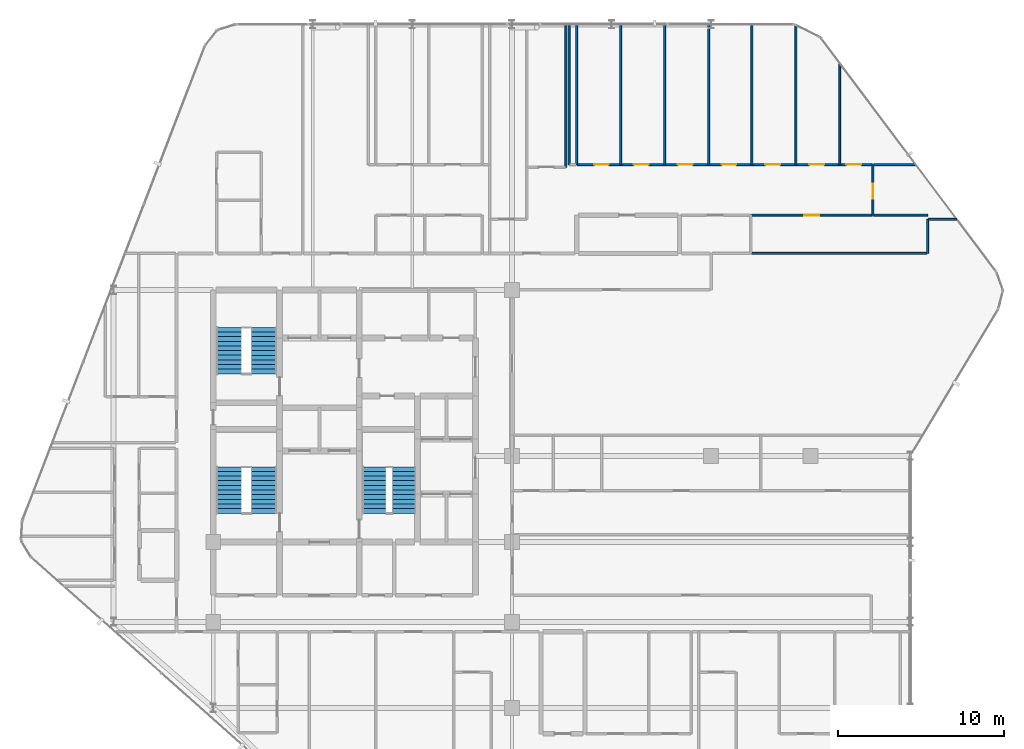
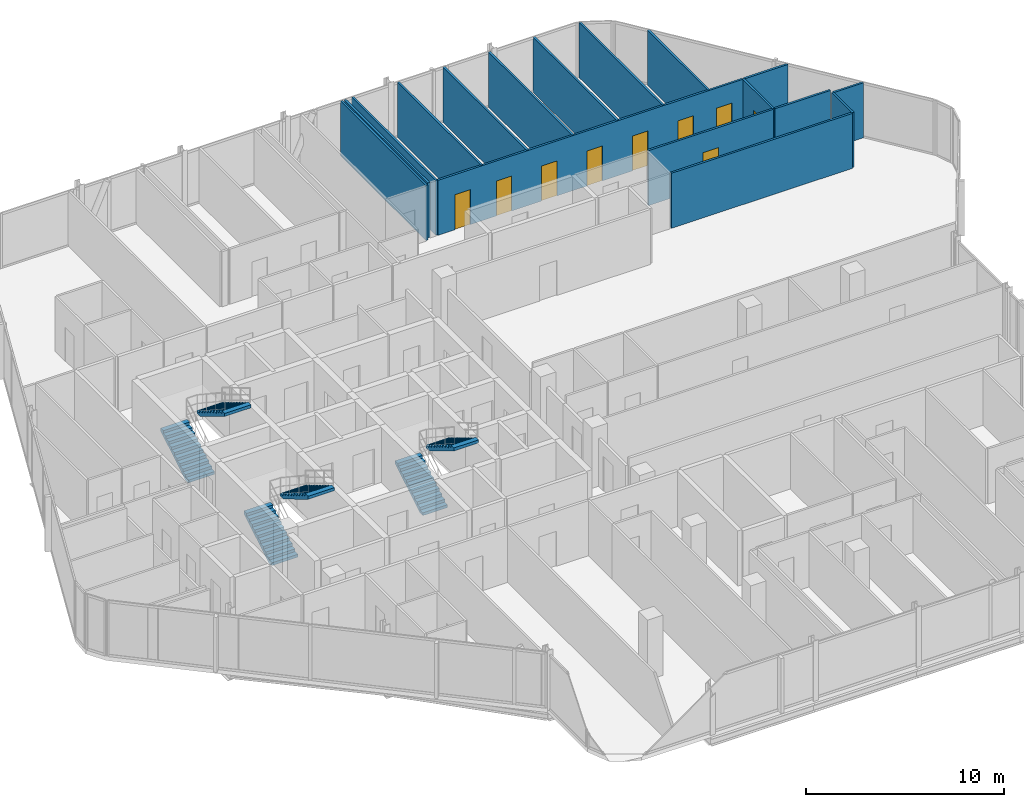
# One storey, part 30 of 31: 17 walls, 9 doors, 6 stair flights, 9 openings, 3 elements without a shape of their own.
"""IFC4 building model written with IfcOpenShell, lengths in metres."""

from ifc_helpers import new_model, si_unit, direction, frame, frame_2d, origin, place, context, subcontext, project, spatial, polyline, rectangle, outline, extrude, material, layer, layer_set, type_object, element, fill, aggregate, save


model = new_model("IFC4")

# Units and contexts
model_context = context("Model", 3, precision=1e-05, world=origin(), true_north=direction((0.0, 1.0)))
body_context = subcontext(model_context, "Body", "Model", "MODEL_VIEW")
ifc_project = project(units=[si_unit("LENGTHUNIT", "METRE"), si_unit("AREAUNIT", "SQUARE_METRE"), si_unit("VOLUMEUNIT", "CUBIC_METRE"), si_unit("PLANEANGLEUNIT", "RADIAN"), si_unit("MASSUNIT", "GRAM", prefix="KILO")], contexts=[model_context])

# Site, building, storey
site_placement = place(None, origin())
site = spatial("IfcSite", under=ifc_project, at=site_placement, CompositionType="ELEMENT")
building_placement = place(site_placement, origin())
building = spatial("IfcBuilding", under=site, at=building_placement, Name="Keshet Zoharim Tower", CompositionType="ELEMENT")
storey_placement = place(building_placement, frame((0.0, 0.0, 140.89990234375)))
storey = spatial("IfcBuildingStorey", under=building, at=storey_placement, Name="L34", CompositionType="ELEMENT", Elevation=140.89990234375)

# Walls
ifc_material_1 = material(Name="Gypsum Plasterboard", Category="gypsum")
ifc_layer = layer(ifc_material_1, 0.1201171875)
ifc_layer_set = layer_set([ifc_layer], Name="Gypsum Plasterboard")
wall_type = type_object("IfcWallType", Name="WL-PART-120", PredefinedType="PARTITIONING", material=ifc_layer_set)
wall_1_placement = place(storey_placement, frame((36.25, 45.300048828125, 0.0), z_axis=(0.0, 0.0, 1.0), x_axis=(0.0, 1.0, 0.0)))
element("IfcWall", 1, at=wall_1_placement, inside=storey, type_object=wall_type, Name="L34 Interior Wall 079", PredefinedType="PARTITIONING", context=body_context, shape_type="SweptSolid", body=[
    extrude(rectangle(XDim=8.58984375, YDim=0.1201171875, at=frame_2d((4.294921875, 0.0))), origin(), (0.0, 0.0, 1.0), 3.385009765625),
])
for number, where, z_axis, x_axis, name in (
    (2, (36.449951171875, 45.449951171875, 0.0), (0.0, 0.0, 1.0), (0.0, 1.0, 0.0), "L34 Interior Wall 080"),
    (3, (36.89990234375, 45.449951171875, 0.0), (0.0, 0.0, 1.0), (0.0, 1.0, 0.0), "L34 Interior Wall 082"),
    (4, (39.550048828125, 45.449951171875, 0.0), (0.0, 0.0, 1.0), (0.0, 1.0, 0.0), "L34 Interior Wall 086"),
    (5, (42.199951171875, 45.449951171875, 0.0), (0.0, 0.0, 1.0), (0.0, 1.0, 0.0), "L34 Interior Wall 089"),
    (6, (44.85009765625, 45.449951171875, 0.0), (0.0, 0.0, 1.0), (0.0, 1.0, 0.0), "L34 Interior Wall 096"),
    (7, (47.449951171875, 45.449951171875, 0.0), (0.0, 0.0, 1.0), (0.0, 1.0, 0.0), "L34 Interior Wall 100"),
):
    element("IfcWall", number, at=place(storey_placement, frame(where, z_axis=z_axis, x_axis=x_axis)), inside=storey, type_object=wall_type, Name=name, PredefinedType="PARTITIONING", context=body_context, shape_type="SweptSolid", body=[
        extrude(rectangle(XDim=8.43994140625, YDim=0.1201171875, at=frame_2d((4.219970703125, 0.0))), origin(), (0.0, 0.0, 1.0), 3.385009765625),
    ])
wall_2_placement = place(storey_placement, frame((50.10009765625, 45.449951171875, 0.0), z_axis=(0.0, 0.0, 1.0), x_axis=(0.0, 1.0, 0.0)))
element("IfcWall", 8, at=wall_2_placement, inside=storey, type_object=wall_type, Name="L34 Interior Wall 105", PredefinedType="PARTITIONING", context=body_context, shape_type="SweptSolid", body=[
    extrude(rectangle(XDim=8.39013671875, YDim=0.1201171875, at=frame_2d((4.195068359375, 0.0))), origin(), (0.0, 0.0, 1.0), 3.385009765625),
])
wall_3_placement = place(storey_placement, frame((52.75, 45.449951171875, 0.0), z_axis=(0.0, 0.0, 1.0), x_axis=(0.0, 1.0, 0.0)))
element("IfcWall", 9, at=wall_3_placement, inside=storey, type_object=wall_type, Name="L34 Interior Wall 108", PredefinedType="PARTITIONING", context=body_context, shape_type="SweptSolid", body=[
    extrude(rectangle(XDim=6.10693359375, YDim=0.1201171875, at=frame_2d((3.053466796875, 0.0))), origin(), (0.0, 0.0, 1.0), 3.385009765625),
])

# Wall, opening, door
wall_4_placement = place(storey_placement, frame((54.75, 42.39990234375, 0.0), z_axis=(0.0, 0.0, 1.0), x_axis=(0.0, 1.0, 0.0)))
wall_4 = element("IfcWall", 10, at=wall_4_placement, inside=storey, type_object=wall_type, Name="L34 Interior Wall 111", PredefinedType="PARTITIONING", context=body_context, shape_type="SweptSolid", body=[
    extrude(rectangle(XDim=3.050048828125, YDim=0.1201171875, at=frame_2d((1.52490234375, 0.0))), origin(), (0.0, 0.0, 1.0), 3.385009765625),
])
opening_1_placement = place(wall_4_placement, frame((1.0029296875, 0.0, 0.0)))
opening_1 = element("IfcOpeningElement", 11, at=opening_1_placement, cuts=wall_4, Name="Opening D-IN90", PredefinedType="OPENING", context=body_context, shape_type="SweptSolid", body=[
    extrude(rectangle(XDim=0.89990234375, YDim=2.14990234375, at=frame_2d((0.449951171875, 1.074951171875))), frame((0.0, 0.070068359375, 0.0), z_axis=(0.0, -1.0, 0.0), x_axis=(1.0, 0.0, 0.0)), (0.0, 0.0, 1.0), 0.14013671875),
])
ifc_material_2 = material(Name="Hardwood Timber", Category="wood")
door_type = type_object("IfcDoorType", Name="DR-INT-090", OperationType="NOTDEFINED", PredefinedType="DOOR", material=ifc_material_2)
door_1_placement = place(opening_1_placement, origin())
door_1 = element("IfcDoor", 12, at=door_1_placement, inside=storey, type_object=door_type, Name="Apartment 3406 Private Reading Room Door", OperationType="SINGLE_SWING_LEFT", OverallHeight=2.14990234375, OverallWidth=0.89990234375, PredefinedType="DOOR", context=body_context, shape_type="SweptSolid", body=[
    extrude(rectangle(XDim=0.89990234375, YDim=2.14990234375, at=frame_2d((0.449951171875, 1.074951171875))), frame((0.0, 0.02490234375, 0.0), z_axis=(0.0, -1.0, 0.0), x_axis=(1.0, 0.0, 0.0)), (0.0, 0.0, 1.0), 0.050048828125),
])
fill(opening_1, door_1)

# Walls
wall_5_placement = place(storey_placement, frame((58.050048828125, 40.10009765625, 0.0), z_axis=(0.0, 0.0, 1.0), x_axis=(0.0, 1.0, 0.0)))
element("IfcWall", 13, at=wall_5_placement, inside=storey, type_object=wall_type, Name="L34 Interior Wall 113", PredefinedType="PARTITIONING", context=body_context, shape_type="SweptSolid", body=[
    extrude(rectangle(XDim=2.0498046875, YDim=0.1201171875, at=frame_2d((1.02490234375, 0.0))), origin(), (0.0, 0.0, 1.0), 3.385009765625),
])
wall_6_placement = place(storey_placement, frame((47.445068359375, 40.10009765625, 0.0), z_axis=(0.0, 0.0, 1.0), x_axis=(1.0, 0.0, 0.0)))
element("IfcWall", 14, at=wall_6_placement, inside=storey, type_object=wall_type, Name="L34 Interior Wall 202", PredefinedType="PARTITIONING", context=body_context, shape_type="SweptSolid", body=[
    extrude(rectangle(XDim=10.546875, YDim=0.1201171875, at=frame_2d((5.2734375, 0.0))), origin(), (0.0, 0.0, 1.0), 3.385009765625),
])
wall_7_placement = place(storey_placement, frame((58.0830078125, 42.14990234375, 0.0), z_axis=(0.0, 0.0, 1.0), x_axis=(1.0, 0.0, 0.0)))
element("IfcWall", 15, at=wall_7_placement, inside=storey, type_object=wall_type, Name="L34 Interior Wall 204", PredefinedType="PARTITIONING", context=body_context, shape_type="SweptSolid", body=[
    extrude(rectangle(XDim=1.719970703125, YDim=0.1201171875, at=frame_2d((0.85986328125, 0.0))), origin(), (0.0, 0.0, 1.0), 3.385009765625),
])

# Wall, opening, door
wall_8_placement = place(storey_placement, frame((47.445068359375, 42.39990234375, 0.0), z_axis=(0.0, 0.0, 1.0), x_axis=(1.0, 0.0, 0.0)))
wall_8 = element("IfcWall", 16, at=wall_8_placement, inside=storey, type_object=wall_type, Name="L34 Interior Wall 209", PredefinedType="PARTITIONING", context=body_context, shape_type="SweptSolid", body=[
    extrude(rectangle(XDim=7.260009765625, YDim=0.1201171875, at=frame_2d((3.6298828125, 0.0))), origin(), (0.0, 0.0, 1.0), 3.385009765625),
])
opening_2_placement = place(wall_8_placement, frame((3.179931640625, 0.0, 0.0)))
opening_2 = element("IfcOpeningElement", 17, at=opening_2_placement, cuts=wall_8, Name="Opening D-IN90", PredefinedType="OPENING", context=body_context, shape_type="SweptSolid", body=[
    extrude(rectangle(XDim=0.89990234375, YDim=2.14990234375, at=frame_2d((0.449951171875, 1.074951171875))), frame((0.0, 0.070068359375, 0.0), z_axis=(0.0, -1.0, 0.0), x_axis=(1.0, 0.0, 0.0)), (0.0, 0.0, 1.0), 0.14013671875),
])
door_2_placement = place(opening_2_placement, origin())
door_2 = element("IfcDoor", 18, at=door_2_placement, inside=storey, type_object=door_type, Name="Apartment 3406 Kitchen Door", OperationType="SINGLE_SWING_RIGHT", OverallHeight=2.14990234375, OverallWidth=0.89990234375, PredefinedType="DOOR", context=body_context, shape_type="SweptSolid", body=[
    extrude(rectangle(XDim=0.89990234375, YDim=2.14990234375, at=frame_2d((0.449951171875, 1.074951171875))), frame((0.0, 0.02490234375, 0.0), z_axis=(0.0, -1.0, 0.0), x_axis=(1.0, 0.0, 0.0)), (0.0, 0.0, 1.0), 0.050048828125),
])
fill(opening_2, door_2)

# Wall
wall_9_placement = place(storey_placement, frame((54.794921875, 42.39990234375, 0.0), z_axis=(0.0, 0.0, 1.0), x_axis=(1.0, 0.0, 0.0)))
element("IfcWall", 19, at=wall_9_placement, inside=storey, type_object=wall_type, Name="L34 Interior Wall 210", PredefinedType="PARTITIONING", context=body_context, shape_type="SweptSolid", body=[
    extrude(rectangle(XDim=3.2431640625, YDim=0.1201171875, at=frame_2d((1.62158203125, 0.0))), origin(), (0.0, 0.0, 1.0), 3.385009765625),
])

# Wall, openings, doors
wall_10_placement = place(storey_placement, frame((36.945068359375, 45.449951171875, 0.0), z_axis=(0.0, 0.0, 1.0), x_axis=(1.0, 0.0, 0.0)))
wall_10 = element("IfcWall", 20, at=wall_10_placement, inside=storey, type_object=wall_type, Name="L34 Interior Wall 217", PredefinedType="PARTITIONING", context=body_context, shape_type="SweptSolid", body=[
    extrude(rectangle(XDim=17.760009765625, YDim=0.1201171875, at=frame_2d((8.8798828125, 0.0))), origin(), (0.0, 0.0, 1.0), 3.385009765625),
])
opening_3_placement = place(wall_10_placement, frame((1.0009765625, 0.0, 0.0)))
opening_3 = element("IfcOpeningElement", 21, at=opening_3_placement, cuts=wall_10, Name="Opening D-IN90", PredefinedType="OPENING", context=body_context, shape_type="SweptSolid", body=[
    extrude(rectangle(XDim=0.89990234375, YDim=2.14990234375, at=frame_2d((0.449951171875, 1.074951171875))), frame((0.0, 0.070068359375, 0.0), z_axis=(0.0, -1.0, 0.0), x_axis=(1.0, 0.0, 0.0)), (0.0, 0.0, 1.0), 0.14013671875),
])
opening_4_placement = place(wall_10_placement, frame((3.39794921875, 0.0, 0.0)))
opening_4 = element("IfcOpeningElement", 22, at=opening_4_placement, cuts=wall_10, Name="Opening D-IN90", PredefinedType="OPENING", context=body_context, shape_type="SweptSolid", body=[
    extrude(rectangle(XDim=0.89990234375, YDim=2.14990234375, at=frame_2d((0.449951171875, 1.074951171875))), frame((0.0, 0.070068359375, 0.0), z_axis=(0.0, -1.0, 0.0), x_axis=(1.0, 0.0, 0.0)), (0.0, 0.0, 1.0), 0.14013671875),
])
opening_5_placement = place(wall_10_placement, frame((6.0400390625, 0.0, 0.0)))
opening_5 = element("IfcOpeningElement", 23, at=opening_5_placement, cuts=wall_10, Name="Opening D-IN90", PredefinedType="OPENING", context=body_context, shape_type="SweptSolid", body=[
    extrude(rectangle(XDim=0.89990234375, YDim=2.14990234375, at=frame_2d((0.449951171875, 1.074951171875))), frame((0.0, 0.070068359375, 0.0), z_axis=(0.0, -1.0, 0.0), x_axis=(1.0, 0.0, 0.0)), (0.0, 0.0, 1.0), 0.14013671875),
])
opening_6_placement = place(wall_10_placement, frame((8.68310546875, 0.0, 0.0)))
opening_6 = element("IfcOpeningElement", 24, at=opening_6_placement, cuts=wall_10, Name="Opening D-IN90", PredefinedType="OPENING", context=body_context, shape_type="SweptSolid", body=[
    extrude(rectangle(XDim=0.89990234375, YDim=2.14990234375, at=frame_2d((0.449951171875, 1.074951171875))), frame((0.0, 0.070068359375, 0.0), z_axis=(0.0, -1.0, 0.0), x_axis=(1.0, 0.0, 0.0)), (0.0, 0.0, 1.0), 0.14013671875),
])
opening_7_placement = place(wall_10_placement, frame((11.324951171875, 0.0, 0.0)))
opening_7 = element("IfcOpeningElement", 25, at=opening_7_placement, cuts=wall_10, Name="Opening D-IN90", PredefinedType="OPENING", context=body_context, shape_type="SweptSolid", body=[
    extrude(rectangle(XDim=0.89990234375, YDim=2.14990234375, at=frame_2d((0.449951171875, 1.074951171875))), frame((0.0, 0.070068359375, 0.0), z_axis=(0.0, -1.0, 0.0), x_axis=(1.0, 0.0, 0.0)), (0.0, 0.0, 1.0), 0.14013671875),
])
opening_8_placement = place(wall_10_placement, frame((13.967041015625, 0.0, 0.0)))
opening_8 = element("IfcOpeningElement", 26, at=opening_8_placement, cuts=wall_10, Name="Opening D-IN90", PredefinedType="OPENING", context=body_context, shape_type="SweptSolid", body=[
    extrude(rectangle(XDim=0.89990234375, YDim=2.14990234375, at=frame_2d((0.449951171875, 1.074951171875))), frame((0.0, 0.070068359375, 0.0), z_axis=(0.0, -1.0, 0.0), x_axis=(1.0, 0.0, 0.0)), (0.0, 0.0, 1.0), 0.14013671875),
])
opening_9_placement = place(wall_10_placement, frame((16.2080078125, 0.0, 0.0)))
opening_9 = element("IfcOpeningElement", 27, at=opening_9_placement, cuts=wall_10, Name="Opening D-IN90", PredefinedType="OPENING", context=body_context, shape_type="SweptSolid", body=[
    extrude(rectangle(XDim=0.89990234375, YDim=2.14990234375, at=frame_2d((0.449951171875, 1.074951171875))), frame((0.0, 0.070068359375, 0.0), z_axis=(0.0, -1.0, 0.0), x_axis=(1.0, 0.0, 0.0)), (0.0, 0.0, 1.0), 0.14013671875),
])
door_3_placement = place(opening_3_placement, origin())
door_3 = element("IfcDoor", 28, at=door_3_placement, inside=storey, type_object=door_type, Name="Apartment 3406 Bedroom 1 Door", OperationType="SINGLE_SWING_RIGHT", OverallHeight=2.14990234375, OverallWidth=0.89990234375, PredefinedType="DOOR", context=body_context, shape_type="SweptSolid", body=[
    extrude(rectangle(XDim=0.89990234375, YDim=2.14990234375, at=frame_2d((0.449951171875, 1.074951171875))), frame((0.0, 0.02490234375, 0.0), z_axis=(0.0, -1.0, 0.0), x_axis=(1.0, 0.0, 0.0)), (0.0, 0.0, 1.0), 0.050048828125),
])
fill(opening_3, door_3)
door_4_placement = place(opening_4_placement, origin())
door_4 = element("IfcDoor", 29, at=door_4_placement, inside=storey, type_object=door_type, Name="Apartment 3406 Bedroom 2 Door", OperationType="SINGLE_SWING_LEFT", OverallHeight=2.14990234375, OverallWidth=0.89990234375, PredefinedType="DOOR", context=body_context, shape_type="SweptSolid", body=[
    extrude(rectangle(XDim=0.89990234375, YDim=2.14990234375, at=frame_2d((0.449951171875, 1.074951171875))), frame((0.0, 0.02490234375, 0.0), z_axis=(0.0, -1.0, 0.0), x_axis=(1.0, 0.0, 0.0)), (0.0, 0.0, 1.0), 0.050048828125),
])
fill(opening_4, door_4)
door_5_placement = place(opening_5_placement, origin())
door_5 = element("IfcDoor", 30, at=door_5_placement, inside=storey, type_object=door_type, Name="Apartment 3406 Bedroom 3 Door", OperationType="SINGLE_SWING_RIGHT", OverallHeight=2.14990234375, OverallWidth=0.89990234375, PredefinedType="DOOR", context=body_context, shape_type="SweptSolid", body=[
    extrude(rectangle(XDim=0.89990234375, YDim=2.14990234375, at=frame_2d((0.449951171875, 1.074951171875))), frame((0.0, 0.02490234375, 0.0), z_axis=(0.0, -1.0, 0.0), x_axis=(1.0, 0.0, 0.0)), (0.0, 0.0, 1.0), 0.050048828125),
])
fill(opening_5, door_5)
door_6_placement = place(opening_6_placement, origin())
door_6 = element("IfcDoor", 31, at=door_6_placement, inside=storey, type_object=door_type, Name="Apartment 3406 Bedroom 4 Door", OperationType="SINGLE_SWING_LEFT", OverallHeight=2.14990234375, OverallWidth=0.89990234375, PredefinedType="DOOR", context=body_context, shape_type="SweptSolid", body=[
    extrude(rectangle(XDim=0.89990234375, YDim=2.14990234375, at=frame_2d((0.449951171875, 1.074951171875))), frame((0.0, 0.02490234375, 0.0), z_axis=(0.0, -1.0, 0.0), x_axis=(1.0, 0.0, 0.0)), (0.0, 0.0, 1.0), 0.050048828125),
])
fill(opening_6, door_6)
door_7_placement = place(opening_7_placement, origin())
door_7 = element("IfcDoor", 32, at=door_7_placement, inside=storey, type_object=door_type, Name="Apartment 3406 Bedroom 5 Door", OperationType="SINGLE_SWING_RIGHT", OverallHeight=2.14990234375, OverallWidth=0.89990234375, PredefinedType="DOOR", context=body_context, shape_type="SweptSolid", body=[
    extrude(rectangle(XDim=0.89990234375, YDim=2.14990234375, at=frame_2d((0.449951171875, 1.074951171875))), frame((0.0, 0.02490234375, 0.0), z_axis=(0.0, -1.0, 0.0), x_axis=(1.0, 0.0, 0.0)), (0.0, 0.0, 1.0), 0.050048828125),
])
fill(opening_7, door_7)
door_8_placement = place(opening_8_placement, origin())
door_8 = element("IfcDoor", 33, at=door_8_placement, inside=storey, type_object=door_type, Name="Apartment 3406 Bedroom 6 Door", OperationType="SINGLE_SWING_LEFT", OverallHeight=2.14990234375, OverallWidth=0.89990234375, PredefinedType="DOOR", context=body_context, shape_type="SweptSolid", body=[
    extrude(rectangle(XDim=0.89990234375, YDim=2.14990234375, at=frame_2d((0.449951171875, 1.074951171875))), frame((0.0, 0.02490234375, 0.0), z_axis=(0.0, -1.0, 0.0), x_axis=(1.0, 0.0, 0.0)), (0.0, 0.0, 1.0), 0.050048828125),
])
fill(opening_8, door_8)
door_9_placement = place(opening_9_placement, origin())
door_9 = element("IfcDoor", 34, at=door_9_placement, inside=storey, type_object=door_type, Name="Apartment 3406 Bedroom 7 Door", OperationType="SINGLE_SWING_RIGHT", OverallHeight=2.14990234375, OverallWidth=0.89990234375, PredefinedType="DOOR", context=body_context, shape_type="SweptSolid", body=[
    extrude(rectangle(XDim=0.89990234375, YDim=2.14990234375, at=frame_2d((0.449951171875, 1.074951171875))), frame((0.0, 0.02490234375, 0.0), z_axis=(0.0, -1.0, 0.0), x_axis=(1.0, 0.0, 0.0)), (0.0, 0.0, 1.0), 0.050048828125),
])
fill(opening_9, door_9)

# Wall
wall_11_placement = place(storey_placement, frame((54.794921875, 45.449951171875, 0.0), z_axis=(0.0, 0.0, 1.0), x_axis=(1.0, 0.0, 0.0)))
element("IfcWall", 35, at=wall_11_placement, inside=storey, type_object=wall_type, Name="L34 Interior Wall 218", PredefinedType="PARTITIONING", context=body_context, shape_type="SweptSolid", body=[
    extrude(rectangle(XDim=2.532958984375, YDim=0.1201171875, at=frame_2d((1.2666015625, 0.0))), origin(), (0.0, 0.0, 1.0), 3.385009765625),
])

# Stair, stair flights
ifc_material_3 = material(Name="Concrete C50/60", Category="concrete")
stair_type = type_object("IfcStairType", Name="STR-EXIT-135", PredefinedType="HALF_TURN_STAIR", material=ifc_material_3)
stair_1_placement = place(storey_placement, origin())
stair_1 = element("IfcStair", 36, at=stair_1_placement, inside=storey, type_object=stair_type, Name="L34 Enclosed Exit Stair ST-01", PredefinedType="HALF_TURN_STAIR")
stair_flight_type_1 = type_object("IfcStairFlightType", Name="FLT-PRE-135", PredefinedType="STRAIGHT", material=ifc_material_3)
stair_flight_1_placement = place(storey_placement, frame((15.945068359375, 24.43994140625, 0.0), z_axis=(0.0, 0.0, 1.0), x_axis=(0.0, 1.0, 0.0)))
stair_flight_1 = element("IfcStairFlight", 37, at=stair_flight_1_placement, type_object=stair_flight_type_1, Name="ST-01 flight 1", NumberOfRisers=11, NumberOfTreads=10, PredefinedType="STRAIGHT", RiserHeight=0.168182, TreadLength=0.28, context=body_context, shape_type="SweptSolid", body=[
    extrude(outline(polyline([(0.0, 0.0), (0.0, 0.168212890625), (0.280029296875, 0.168212890625), (0.280029296875, 0.33642578125), (0.56005859375, 0.33642578125), (0.56005859375, 0.504638671875), (0.840087890625, 0.504638671875), (0.840087890625, 0.672607421875), (1.1201171875, 0.672607421875), (1.1201171875, 0.8408203125), (1.39990234375, 0.8408203125), (1.39990234375, 1.009033203125), (1.679931640625, 1.009033203125), (1.679931640625, 1.17724609375), (1.9599609375, 1.17724609375), (1.9599609375, 1.345458984375), (2.239990234375, 1.345458984375), (2.239990234375, 1.513671875), (2.52001953125, 1.513671875), (2.52001953125, 1.681884765625), (2.800048828125, 1.681884765625), (2.800048828125, 1.85009765625), (2.800048828125, 1.495361328125), (0.310546875, 0.0), (0.0, 0.0)])), frame((0.0, 0.76513671875, 0.0), z_axis=(0.0, -1.0, 0.0), x_axis=(1.0, 0.0, 0.0)), (0.0, 0.0, 1.0), 1.530029296875),
])
stair_flight_2_placement = place(storey_placement, frame((18.054931640625, 27.239990234375, 1.85009765625), z_axis=(0.0, 0.0, 1.0), x_axis=(0.0, -1.0, 0.0)))
stair_flight_2 = element("IfcStairFlight", 38, at=stair_flight_2_placement, type_object=stair_flight_type_1, Name="ST-01 flight 2", NumberOfRisers=11, NumberOfTreads=10, PredefinedType="STRAIGHT", RiserHeight=0.168182, TreadLength=0.28, context=body_context, shape_type="SweptSolid", body=[
    extrude(outline(polyline([(0.0, 0.0), (0.0, 0.168212890625), (0.280029296875, 0.168212890625), (0.280029296875, 0.33642578125), (0.56005859375, 0.33642578125), (0.56005859375, 0.504638671875), (0.840087890625, 0.504638671875), (0.840087890625, 0.672607421875), (1.1201171875, 0.672607421875), (1.1201171875, 0.8408203125), (1.39990234375, 0.8408203125), (1.39990234375, 1.009033203125), (1.679931640625, 1.009033203125), (1.679931640625, 1.17724609375), (1.9599609375, 1.17724609375), (1.9599609375, 1.345458984375), (2.239990234375, 1.345458984375), (2.239990234375, 1.513671875), (2.52001953125, 1.513671875), (2.52001953125, 1.681884765625), (2.800048828125, 1.681884765625), (2.800048828125, 1.85009765625), (2.800048828125, 1.495361328125), (0.310546875, 0.0), (0.0, 0.0)])), frame((0.0, 0.76513671875, 0.0), z_axis=(0.0, -1.0, 0.0), x_axis=(1.0, 0.0, 0.0)), (0.0, 0.0, 1.0), 1.530029296875),
])
aggregate(stair_1, [stair_flight_1, stair_flight_2])

stair_2_placement = place(storey_placement, origin())
stair_2 = element("IfcStair", 39, at=stair_2_placement, inside=storey, type_object=stair_type, Name="L34 Enclosed Exit Stair ST-02", PredefinedType="HALF_TURN_STAIR")
stair_flight_3_placement = place(storey_placement, frame((15.945068359375, 32.840087890625, 0.0), z_axis=(0.0, 0.0, 1.0), x_axis=(0.0, 1.0, 0.0)))
stair_flight_3 = element("IfcStairFlight", 40, at=stair_flight_3_placement, type_object=stair_flight_type_1, Name="ST-02 flight 1", NumberOfRisers=11, NumberOfTreads=10, PredefinedType="STRAIGHT", RiserHeight=0.168182, TreadLength=0.28, context=body_context, shape_type="SweptSolid", body=[
    extrude(outline(polyline([(0.0, 0.0), (0.0, 0.168212890625), (0.280029296875, 0.168212890625), (0.280029296875, 0.33642578125), (0.56005859375, 0.33642578125), (0.56005859375, 0.504638671875), (0.840087890625, 0.504638671875), (0.840087890625, 0.672607421875), (1.1201171875, 0.672607421875), (1.1201171875, 0.8408203125), (1.39990234375, 0.8408203125), (1.39990234375, 1.009033203125), (1.679931640625, 1.009033203125), (1.679931640625, 1.17724609375), (1.9599609375, 1.17724609375), (1.9599609375, 1.345458984375), (2.239990234375, 1.345458984375), (2.239990234375, 1.513671875), (2.52001953125, 1.513671875), (2.52001953125, 1.681884765625), (2.800048828125, 1.681884765625), (2.800048828125, 1.85009765625), (2.800048828125, 1.495361328125), (0.310546875, 0.0), (0.0, 0.0)])), frame((0.0, 0.76513671875, 0.0), z_axis=(0.0, -1.0, 0.0), x_axis=(1.0, 0.0, 0.0)), (0.0, 0.0, 1.0), 1.530029296875),
])
stair_flight_4_placement = place(storey_placement, frame((18.054931640625, 35.639892578125, 1.85009765625), z_axis=(0.0, 0.0, 1.0), x_axis=(0.0, -1.0, 0.0)))
stair_flight_4 = element("IfcStairFlight", 41, at=stair_flight_4_placement, type_object=stair_flight_type_1, Name="ST-02 flight 2", NumberOfRisers=11, NumberOfTreads=10, PredefinedType="STRAIGHT", RiserHeight=0.168182, TreadLength=0.28, context=body_context, shape_type="SweptSolid", body=[
    extrude(outline(polyline([(0.0, 0.0), (0.0, 0.168212890625), (0.280029296875, 0.168212890625), (0.280029296875, 0.33642578125), (0.56005859375, 0.33642578125), (0.56005859375, 0.504638671875), (0.840087890625, 0.504638671875), (0.840087890625, 0.672607421875), (1.1201171875, 0.672607421875), (1.1201171875, 0.8408203125), (1.39990234375, 0.8408203125), (1.39990234375, 1.009033203125), (1.679931640625, 1.009033203125), (1.679931640625, 1.17724609375), (1.9599609375, 1.17724609375), (1.9599609375, 1.345458984375), (2.239990234375, 1.345458984375), (2.239990234375, 1.513671875), (2.52001953125, 1.513671875), (2.52001953125, 1.681884765625), (2.800048828125, 1.681884765625), (2.800048828125, 1.85009765625), (2.800048828125, 1.495361328125), (0.310546875, 0.0), (0.0, 0.0)])), frame((0.0, 0.76513671875, 0.0), z_axis=(0.0, -1.0, 0.0), x_axis=(1.0, 0.0, 0.0)), (0.0, 0.0, 1.0), 1.530029296875),
])
aggregate(stair_2, [stair_flight_3, stair_flight_4])

stair_3_placement = place(storey_placement, origin())
stair_3 = element("IfcStair", 42, at=stair_3_placement, inside=storey, type_object=stair_type, Name="L34 Enclosed Exit Stair ST-03", PredefinedType="HALF_TURN_STAIR")
stair_flight_type_2 = type_object("IfcStairFlightType", Name="FLT-PRE-144", PredefinedType="STRAIGHT", material=ifc_material_3)
stair_flight_5_placement = place(storey_placement, frame((24.699951171875, 24.43994140625, 0.0), z_axis=(0.0, 0.0, 1.0), x_axis=(0.0, 1.0, 0.0)))
stair_flight_5 = element("IfcStairFlight", 43, at=stair_flight_5_placement, type_object=stair_flight_type_2, Name="ST-03 flight 1", NumberOfRisers=11, NumberOfTreads=10, PredefinedType="STRAIGHT", RiserHeight=0.168182, TreadLength=0.28, context=body_context, shape_type="SweptSolid", body=[
    extrude(outline(polyline([(0.0, 0.0), (0.0, 0.168212890625), (0.280029296875, 0.168212890625), (0.280029296875, 0.33642578125), (0.56005859375, 0.33642578125), (0.56005859375, 0.504638671875), (0.840087890625, 0.504638671875), (0.840087890625, 0.672607421875), (1.1201171875, 0.672607421875), (1.1201171875, 0.8408203125), (1.39990234375, 0.8408203125), (1.39990234375, 1.009033203125), (1.679931640625, 1.009033203125), (1.679931640625, 1.17724609375), (1.9599609375, 1.17724609375), (1.9599609375, 1.345458984375), (2.239990234375, 1.345458984375), (2.239990234375, 1.513671875), (2.52001953125, 1.513671875), (2.52001953125, 1.681884765625), (2.800048828125, 1.681884765625), (2.800048828125, 1.85009765625), (2.800048828125, 1.495361328125), (0.310546875, 0.0), (0.0, 0.0)])), frame((0.0, 0.719970703125, 0.0), z_axis=(0.0, -1.0, 0.0), x_axis=(1.0, 0.0, 0.0)), (0.0, 0.0, 1.0), 1.43994140625),
])
stair_flight_6_placement = place(storey_placement, frame((26.5, 27.239990234375, 1.85009765625), z_axis=(0.0, 0.0, 1.0), x_axis=(0.0, -1.0, 0.0)))
stair_flight_6 = element("IfcStairFlight", 44, at=stair_flight_6_placement, type_object=stair_flight_type_2, Name="ST-03 flight 2", NumberOfRisers=11, NumberOfTreads=10, PredefinedType="STRAIGHT", RiserHeight=0.168182, TreadLength=0.28, context=body_context, shape_type="SweptSolid", body=[
    extrude(outline(polyline([(0.0, 0.0), (0.0, 0.168212890625), (0.280029296875, 0.168212890625), (0.280029296875, 0.33642578125), (0.56005859375, 0.33642578125), (0.56005859375, 0.504638671875), (0.840087890625, 0.504638671875), (0.840087890625, 0.672607421875), (1.1201171875, 0.672607421875), (1.1201171875, 0.8408203125), (1.39990234375, 0.8408203125), (1.39990234375, 1.009033203125), (1.679931640625, 1.009033203125), (1.679931640625, 1.17724609375), (1.9599609375, 1.17724609375), (1.9599609375, 1.345458984375), (2.239990234375, 1.345458984375), (2.239990234375, 1.513671875), (2.52001953125, 1.513671875), (2.52001953125, 1.681884765625), (2.800048828125, 1.681884765625), (2.800048828125, 1.85009765625), (2.800048828125, 1.495361328125), (0.310546875, 0.0), (0.0, 0.0)])), frame((0.0, 0.719970703125, 0.0), z_axis=(0.0, -1.0, 0.0), x_axis=(1.0, 0.0, 0.0)), (0.0, 0.0, 1.0), 1.43994140625),
])
aggregate(stair_3, [stair_flight_5, stair_flight_6])

save(model, "model.ifc")
